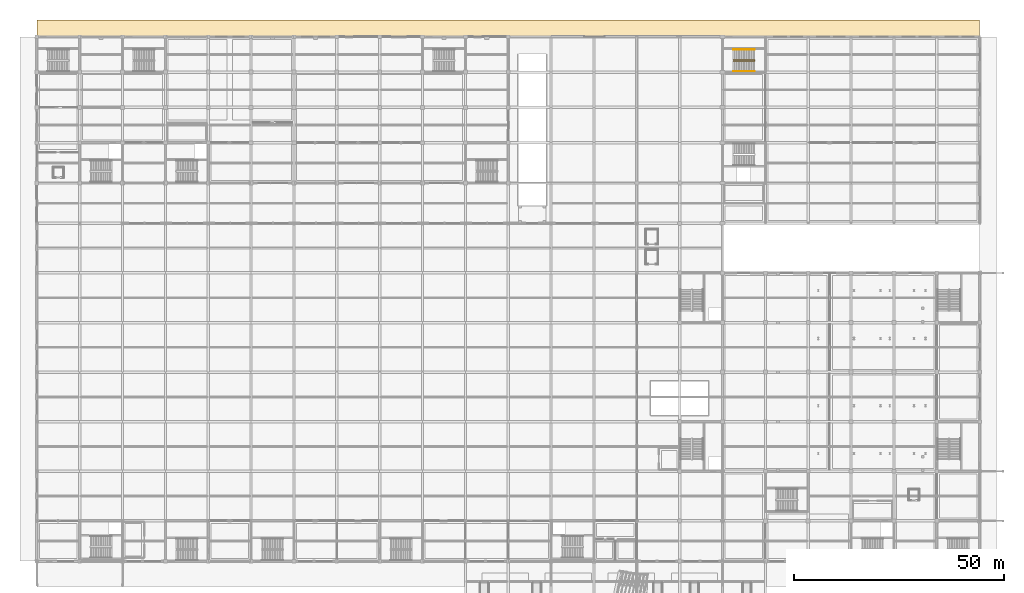
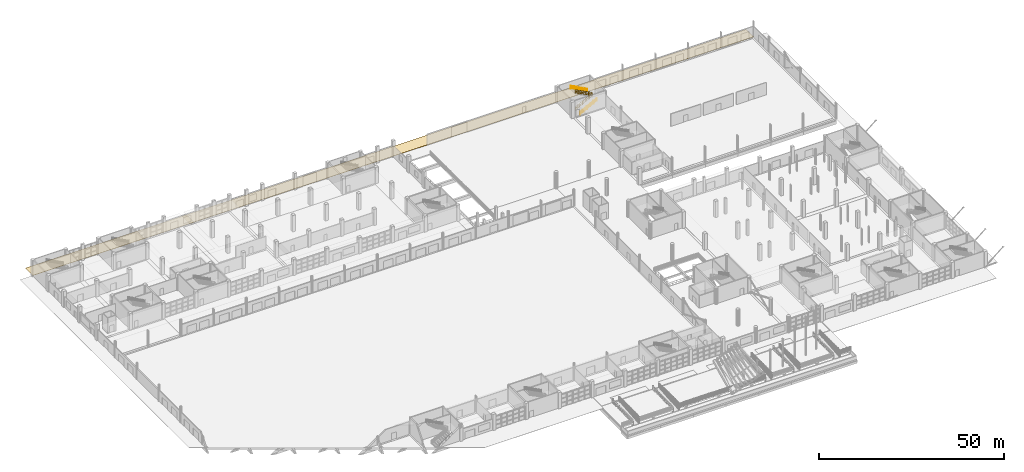
# One storey, part 124 of 124: 3 railings, 1 covering.
"""IFC4 building model written with IfcOpenShell, lengths in metres."""

from ifc_helpers import new_model, si_unit, direction, frame, origin, origin_2d, place, context, subcontext, project, spatial, polyline, circle, outline, extrude, material, layer, layer_set, type_object, element, save


model = new_model("IFC4")

# Units and contexts
model_context = context("Model", 3, precision=1e-05, world=origin(), true_north=direction((0.0, 1.0)))
body_context = subcontext(model_context, "Body", "Model", "MODEL_VIEW")
ifc_project = project(units=[si_unit("LENGTHUNIT", "METRE"), si_unit("AREAUNIT", "SQUARE_METRE"), si_unit("VOLUMEUNIT", "CUBIC_METRE"), si_unit("PLANEANGLEUNIT", "RADIAN"), si_unit("MASSUNIT", "GRAM", prefix="KILO")], contexts=[model_context])

# Site, building, storey
site_placement = place(None, origin())
site = spatial("IfcSite", under=ifc_project, at=site_placement, CompositionType="ELEMENT")
building_placement = place(site_placement, origin())
building = spatial("IfcBuilding", under=site, at=building_placement, Name="Brelvane Convention Centre", CompositionType="ELEMENT")
storey_placement = place(building_placement, origin())
storey = spatial("IfcBuildingStorey", under=building, at=storey_placement, Name="L00", CompositionType="ELEMENT", Elevation=0.0)

# Covering
ifc_material_1 = material(Name="Concrete M40", Category="concrete")
ifc_layer = layer(ifc_material_1, 0.080078125)
ifc_layer_set = layer_set([ifc_layer], Name="Concrete M40")
covering_type = type_object("IfcCoveringType", Name="Outdoor Plaza Paving PV-80", PredefinedType="USERDEFINED", material=ifc_layer_set)
covering_placement = place(storey_placement, origin())
element("IfcCovering", 1, at=covering_placement, inside=storey, type_object=covering_type, Name="Outdoor Arrival Plaza Paving NORTH-PROM", ObjectType="PAVING", PredefinedType="USERDEFINED", context=body_context, shape_type="SweptSolid", body=[
    extrude(outline(polyline([(0.0, 144.0), (224.39990234375, 144.0), (224.39990234375, 148.0), (0.0, 148.0), (0.0, 144.0)])), origin(), (0.0, 0.0, 1.0), 0.080078125),
])

# Railings
ifc_material_2 = material(Name="Steel E350 (350 MPa)", Category="steel")
railing_type_1 = type_object("IfcRailingType", Name="Stair Railing GR-ST-1", PredefinedType="GUARDRAIL", material=ifc_material_2)
railing_1_placement = place(storey_placement, frame((165.75, 138.239990234375, -0.02001953125)))
element("IfcRailing", 2, at=railing_1_placement, inside=storey, type_object=railing_type_1, Name="Stair ST-11 L00 Inner Well Guard", PredefinedType="GUARDRAIL", context=body_context, shape_type="SweptSolid", body=[
    extrude(circle(Radius=0.02392578125, at=origin_2d()), frame((0.0, 0.0, 1.1259765625), z_axis=(0.882358787245, 0.0, 0.470577273753), x_axis=(0.0, 1.0, 0.0)), (0.0, 0.0, 1.0), 5.780029296875),
    extrude(circle(Radius=0.02392578125, at=origin_2d()), frame((0.0, 0.0, 0.597900390625), z_axis=(0.882358787245, 0.0, 0.470577273753), x_axis=(0.0, 1.0, 0.0)), (0.0, 0.0, 1.0), 5.780029296875),
    extrude(circle(Radius=0.02392578125, at=origin_2d()), frame((0.0, 0.0, 0.139892578125), z_axis=(0.882358787245, 0.0, 0.470577273753), x_axis=(0.0, 1.0, 0.0)), (0.0, 0.0, 1.0), 5.780029296875),
    extrude(circle(Radius=0.02392578125, at=origin_2d()), frame((5.10009765625, 0.0, 3.845947265625), z_axis=(0.0, 1.0, 0.0), x_axis=(-1.0, 0.0, 0.0)), (0.0, 0.0, 1.0), 0.320068359375),
    extrude(circle(Radius=0.02392578125, at=origin_2d()), frame((5.10009765625, 0.0, 3.31787109375), z_axis=(0.0, 1.0, 0.0), x_axis=(-1.0, 0.0, 0.0)), (0.0, 0.0, 1.0), 0.320068359375),
    extrude(circle(Radius=0.02392578125, at=origin_2d()), frame((5.10009765625, 0.0, 2.85986328125), z_axis=(0.0, 1.0, 0.0), x_axis=(-1.0, 0.0, 0.0)), (0.0, 0.0, 1.0), 0.320068359375),
    extrude(circle(Radius=0.02392578125, at=origin_2d()), frame((5.10009765625, 0.320068359375, 3.845947265625), z_axis=(-0.885227801088, 0.0, 0.465157758379), x_axis=(0.0, -1.0, 0.0)), (0.0, 0.0, 1.0), 5.76123046875),
    extrude(circle(Radius=0.02392578125, at=origin_2d()), frame((5.10009765625, 0.320068359375, 3.31787109375), z_axis=(-0.885227801088, 0.0, 0.465157758379), x_axis=(0.0, -1.0, 0.0)), (0.0, 0.0, 1.0), 5.76123046875),
    extrude(circle(Radius=0.02392578125, at=origin_2d()), frame((5.10009765625, 0.320068359375, 2.85986328125), z_axis=(-0.885227801088, 0.0, 0.465157758379), x_axis=(0.0, -1.0, 0.0)), (0.0, 0.0, 1.0), 5.76123046875),
    extrude(circle(Radius=0.02099609375, at=origin_2d()), origin(), (0.0, 0.0, 1.0), 1.101806640625),
    extrude(circle(Radius=0.02099609375, at=origin_2d()), frame((1.02001953125, 0.0, 0.5439453125)), (0.0, 0.0, 1.0), 1.101806640625),
    extrude(circle(Radius=0.02099609375, at=origin_2d()), frame((2.0400390625, 0.0, 1.087890625)), (0.0, 0.0, 1.0), 1.101806640625),
    extrude(circle(Radius=0.02099609375, at=origin_2d()), frame((3.06005859375, 0.0, 1.632080078125)), (0.0, 0.0, 1.0), 1.101806640625),
    extrude(circle(Radius=0.02099609375, at=origin_2d()), frame((4.080078125, 0.0, 2.176025390625)), (0.0, 0.0, 1.0), 1.101806640625),
    extrude(circle(Radius=0.02099609375, at=origin_2d()), frame((5.10009765625, 0.0, 2.719970703125)), (0.0, 0.0, 1.0), 1.101806640625),
    extrude(circle(Radius=0.02099609375, at=origin_2d()), frame((5.10009765625, 0.320068359375, 2.719970703125)), (0.0, 0.0, 1.0), 1.101806640625),
    extrude(circle(Radius=0.02099609375, at=origin_2d()), frame((4.080078125, 0.320068359375, 3.255859375)), (0.0, 0.0, 1.0), 1.101806640625),
    extrude(circle(Radius=0.02099609375, at=origin_2d()), frame((3.06005859375, 0.320068359375, 3.7919921875)), (0.0, 0.0, 1.0), 1.101806640625),
    extrude(circle(Radius=0.02099609375, at=origin_2d()), frame((2.0400390625, 0.320068359375, 4.327880859375)), (0.0, 0.0, 1.0), 1.101806640625),
    extrude(circle(Radius=0.02099609375, at=origin_2d()), frame((1.02001953125, 0.320068359375, 4.864013671875)), (0.0, 0.0, 1.0), 1.101806640625),
    extrude(circle(Radius=0.02099609375, at=origin_2d()), frame((0.0, 0.320068359375, 5.39990234375)), (0.0, 0.0, 1.0), 1.101806640625),
])
ifc_material_3 = material(Name="Steel E350 (350 MPa)", Category="steel")
railing_type_2 = type_object("IfcRailingType", Name="Stair Railing HR-ST-1", PredefinedType="HANDRAIL", material=ifc_material_3)
railing_2_placement = place(storey_placement, frame((165.75, 135.830078125, -0.02001953125)))
element("IfcRailing", 3, at=railing_2_placement, inside=storey, type_object=railing_type_2, Name="Stair ST-11 L00 Outer Handrail F1", PredefinedType="HANDRAIL", context=body_context, shape_type="SweptSolid", body=[
    extrude(circle(Radius=0.02392578125, at=origin_2d()), frame((0.0, 0.0, 0.89599609375), z_axis=(0.882358787245, 0.0, 0.470577273753), x_axis=(0.0, 1.0, 0.0)), (0.0, 0.0, 1.0), 5.780029296875),
    extrude(circle(Radius=0.02392578125, at=origin_2d()), frame((0.0, 0.0, 0.478271484375), z_axis=(0.882358787245, 0.0, 0.470577273753), x_axis=(0.0, 1.0, 0.0)), (0.0, 0.0, 1.0), 5.780029296875),
    extrude(circle(Radius=0.02392578125, at=origin_2d()), frame((0.0, 0.0, 0.139892578125), z_axis=(0.882358787245, 0.0, 0.470577273753), x_axis=(0.0, 1.0, 0.0)), (0.0, 0.0, 1.0), 5.780029296875),
    extrude(circle(Radius=0.02099609375, at=origin_2d()), origin(), (0.0, 0.0, 1.0), 0.871826171875),
    extrude(circle(Radius=0.02099609375, at=origin_2d()), frame((1.02001953125, 0.0, 0.5439453125)), (0.0, 0.0, 1.0), 0.871826171875),
    extrude(circle(Radius=0.02099609375, at=origin_2d()), frame((2.0400390625, 0.0, 1.087890625)), (0.0, 0.0, 1.0), 0.871826171875),
    extrude(circle(Radius=0.02099609375, at=origin_2d()), frame((3.06005859375, 0.0, 1.632080078125)), (0.0, 0.0, 1.0), 0.871826171875),
    extrude(circle(Radius=0.02099609375, at=origin_2d()), frame((4.080078125, 0.0, 2.176025390625)), (0.0, 0.0, 1.0), 0.871826171875),
    extrude(circle(Radius=0.02099609375, at=origin_2d()), frame((5.10009765625, 0.0, 2.719970703125)), (0.0, 0.0, 1.0), 0.871826171875),
])
railing_3_placement = place(storey_placement, frame((170.85009765625, 140.969970703125, 2.699951171875)))
element("IfcRailing", 4, at=railing_3_placement, inside=storey, type_object=railing_type_2, Name="Stair ST-11 L00 Outer Handrail F2", PredefinedType="HANDRAIL", context=body_context, shape_type="SweptSolid", body=[
    extrude(circle(Radius=0.02392578125, at=origin_2d()), frame((0.0, 0.0, 0.89599609375), z_axis=(-0.885227801088, 0.0, 0.465157758379), x_axis=(0.0, -1.0, 0.0)), (0.0, 0.0, 1.0), 5.76123046875),
    extrude(circle(Radius=0.02392578125, at=origin_2d()), frame((0.0, 0.0, 0.478271484375), z_axis=(-0.885227801088, 0.0, 0.465157758379), x_axis=(0.0, -1.0, 0.0)), (0.0, 0.0, 1.0), 5.76123046875),
    extrude(circle(Radius=0.02392578125, at=origin_2d()), frame((0.0, 0.0, 0.139892578125), z_axis=(-0.885227801088, 0.0, 0.465157758379), x_axis=(0.0, -1.0, 0.0)), (0.0, 0.0, 1.0), 5.76123046875),
    extrude(circle(Radius=0.02099609375, at=origin_2d()), origin(), (0.0, 0.0, 1.0), 0.871826171875),
    extrude(circle(Radius=0.02099609375, at=origin_2d()), frame((-1.02001953125, 0.0, 0.535888671875)), (0.0, 0.0, 1.0), 0.871826171875),
    extrude(circle(Radius=0.02099609375, at=origin_2d()), frame((-2.0400390625, 0.0, 1.072021484375)), (0.0, 0.0, 1.0), 0.871826171875),
    extrude(circle(Radius=0.02099609375, at=origin_2d()), frame((-3.06005859375, 0.0, 1.60791015625)), (0.0, 0.0, 1.0), 0.871826171875),
    extrude(circle(Radius=0.02099609375, at=origin_2d()), frame((-4.080078125, 0.0, 2.14404296875)), (0.0, 0.0, 1.0), 0.871826171875),
    extrude(circle(Radius=0.02099609375, at=origin_2d()), frame((-5.10009765625, 0.0, 2.679931640625)), (0.0, 0.0, 1.0), 0.871826171875),
])

save(model, "model.ifc")
